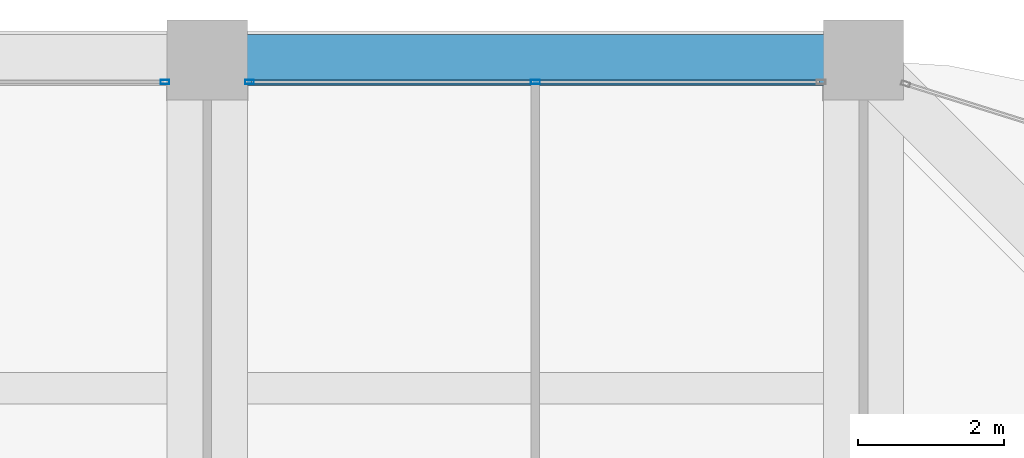
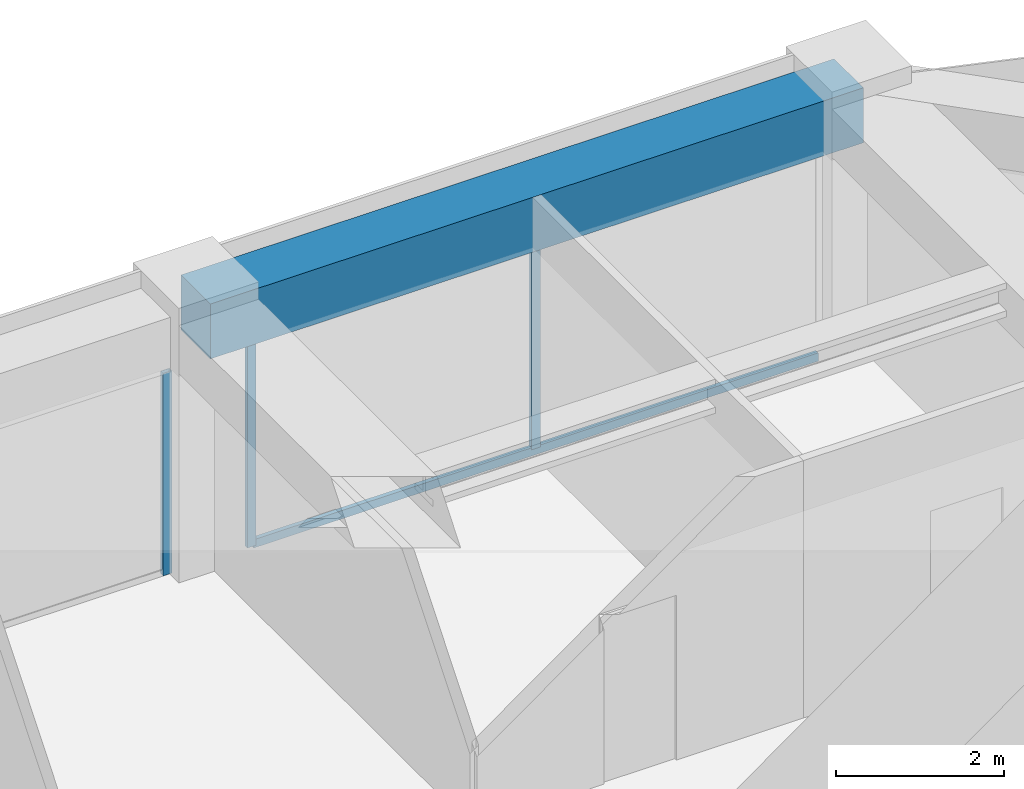
# One storey, part 35 of 44: 4 members, 1 beam, 2 elements without a shape of their own.
"""IFC4 building model written with IfcOpenShell, lengths in metres."""

from ifc_helpers import new_model, si_unit, direction, frame, origin, origin_2d, place, context, subcontext, project, spatial, rectangle, hollow_rectangle, extrude, material, material_profile, profile_set, type_object, element, aggregate, save


model = new_model("IFC4")

# Units and contexts
model_context = context("Model", 3, precision=1e-05, world=origin(), true_north=direction((0.0, 1.0)))
body_context = subcontext(model_context, "Body", "Model", "MODEL_VIEW")
ifc_project = project(units=[si_unit("LENGTHUNIT", "METRE"), si_unit("AREAUNIT", "SQUARE_METRE"), si_unit("VOLUMEUNIT", "CUBIC_METRE"), si_unit("PLANEANGLEUNIT", "RADIAN"), si_unit("MASSUNIT", "GRAM", prefix="KILO")], contexts=[model_context])

# Site, building, storey
site_placement = place(None, origin())
site = spatial("IfcSite", under=ifc_project, at=site_placement, CompositionType="ELEMENT")
building_placement = place(site_placement, origin())
building = spatial("IfcBuilding", under=site, at=building_placement, Name="Zorevar Civic Tower", CompositionType="ELEMENT")
storey_placement = place(building_placement, frame((0.0, 0.0, 251.39990234375)))
storey = spatial("IfcBuildingStorey", under=building, at=storey_placement, Name="L61", CompositionType="ELEMENT", Elevation=251.39990234375)

# Curtain wall, member
ifc_material_1 = material(Name="Dark grey solar-control glass in black aluminium frame", Category="aluminium")
curtain_wall_type = type_object("IfcCurtainWallType", Name="Curtain wall CW5 top zone", PredefinedType="NOTDEFINED", material=ifc_material_1)
curtain_wall_1_placement = place(storey_placement, origin())
curtain_wall_1 = element("IfcCurtainWall", 1, at=curtain_wall_1_placement, inside=storey, type_object=curtain_wall_type, Name="CW5 L61", PredefinedType="NOTDEFINED")
ifc_material_2 = material(Name="Aluminium, black anodised", Category="aluminium")
ifc_material_profile_1 = material_profile(ifc_material_2, hollow_rectangle(XDim=0.06005859375, YDim=0.1201171875, WallThickness=0.0029296875, at=origin_2d()), Name="AL 120x60x3")
ifc_profile_set_1 = profile_set([ifc_material_profile_1], Name="Aluminium, black anodised")
member_type_1 = type_object("IfcMemberType", Name="CW5 mullion AL 120x60x3", PredefinedType="MULLION", material=ifc_profile_set_1)
member_1_placement = place(storey_placement, frame((35.419921875, 44.699951171875, 0.0), z_axis=(0.0, 0.0, 1.0), x_axis=(0.0, 1.0, 0.0)))
member_1 = element("IfcMember", 2, at=member_1_placement, type_object=member_type_1, Name="CW5 mullion 3", PredefinedType="MULLION", context=body_context, shape_type="SweptSolid", body=[
    extrude(hollow_rectangle(XDim=0.06005859375, YDim=0.1201171875, WallThickness=0.0029296875, at=origin_2d()), origin(), (0.0, 0.0, 1.0), 2.9501953125),
])
aggregate(curtain_wall_1, [member_1])

# Curtain wall, members
curtain_wall_2_placement = place(storey_placement, origin())
curtain_wall_2 = element("IfcCurtainWall", 3, at=curtain_wall_2_placement, inside=storey, type_object=curtain_wall_type, Name="CW5 L61", PredefinedType="NOTDEFINED")
member_2_placement = place(storey_placement, frame((36.580078125, 44.699951171875, 0.0), z_axis=(0.0, 0.0, 1.0), x_axis=(0.0, 1.0, 0.0)))
member_2 = element("IfcMember", 4, at=member_2_placement, type_object=member_type_1, Name="CW5 mullion 1", PredefinedType="MULLION", context=body_context, shape_type="SweptSolid", body=[
    extrude(hollow_rectangle(XDim=0.06005859375, YDim=0.1201171875, WallThickness=0.0029296875, at=origin_2d()), origin(), (0.0, 0.0, 1.0), 2.9501953125),
])
member_3_placement = place(storey_placement, frame((40.5, 44.699951171875, 0.06005859375), z_axis=(0.0, 0.0, 1.0), x_axis=(0.0, 1.0, 0.0)))
member_3 = element("IfcMember", 5, at=member_3_placement, type_object=member_type_1, Name="CW5 mullion 2", PredefinedType="MULLION", context=body_context, shape_type="SweptSolid", body=[
    extrude(hollow_rectangle(XDim=0.06005859375, YDim=0.1201171875, WallThickness=0.0029296875, at=origin_2d()), origin(), (0.0, 0.0, 1.0), 2.89013671875),
])
ifc_material_3 = material(Name="Aluminium, black anodised", Category="aluminium")
ifc_material_profile_2 = material_profile(ifc_material_3, hollow_rectangle(XDim=0.06005859375, YDim=0.1201171875, WallThickness=0.0029296875, at=origin_2d()), Name="AL 120x60x3")
ifc_profile_set_2 = profile_set([ifc_material_profile_2], Name="Aluminium, black anodised")
member_type_2 = type_object("IfcMemberType", Name="CW5 transom AL 120x60x3", PredefinedType="USERDEFINED", material=ifc_profile_set_2)
member_4_placement = place(storey_placement, frame((36.610107421875, 44.699951171875, 0.030029296875), z_axis=(1.0, 0.0, 0.0), x_axis=(0.0, 1.0, 0.0)))
member_4 = element("IfcMember", 6, at=member_4_placement, type_object=member_type_2, Name="CW5 sill transom", ObjectType="TRANSOM", PredefinedType="USERDEFINED", context=body_context, shape_type="SweptSolid", body=[
    extrude(hollow_rectangle(XDim=0.06005859375, YDim=0.1201171875, WallThickness=0.0029296875, at=origin_2d()), origin(), (0.0, 0.0, 1.0), 7.77978515625),
])
aggregate(curtain_wall_2, [member_2, member_3, member_4])

# Beam
ifc_material_4 = material(Name="Concrete C50/60", Category="concrete")
ifc_material_profile_3 = material_profile(ifc_material_4, rectangle(XDim=0.699951171875, YDim=0.800048828125, at=origin_2d()), Name="RC 700x800")
ifc_profile_set_3 = profile_set([ifc_material_profile_3], Name="Concrete C50/60")
beam_type = type_object("IfcBeamType", Name="Edge beam RC 700x800", PredefinedType="SPANDREL", material=ifc_profile_set_3)
beam_placement = place(storey_placement, frame((36.0, 45.0, 3.35009765625), z_axis=(1.0, 0.0, 0.0), x_axis=(0.0, 1.0, 0.0)))
element("IfcBeam", 7, at=beam_placement, inside=storey, type_object=beam_type, Name="Edge beam L62", PredefinedType="SPANDREL", context=body_context, shape_type="SweptSolid", body=[
    extrude(rectangle(XDim=0.699951171875, YDim=0.800048828125, at=origin_2d()), origin(), (0.0, 0.0, 1.0), 9.0),
])

save(model, "model.ifc")
